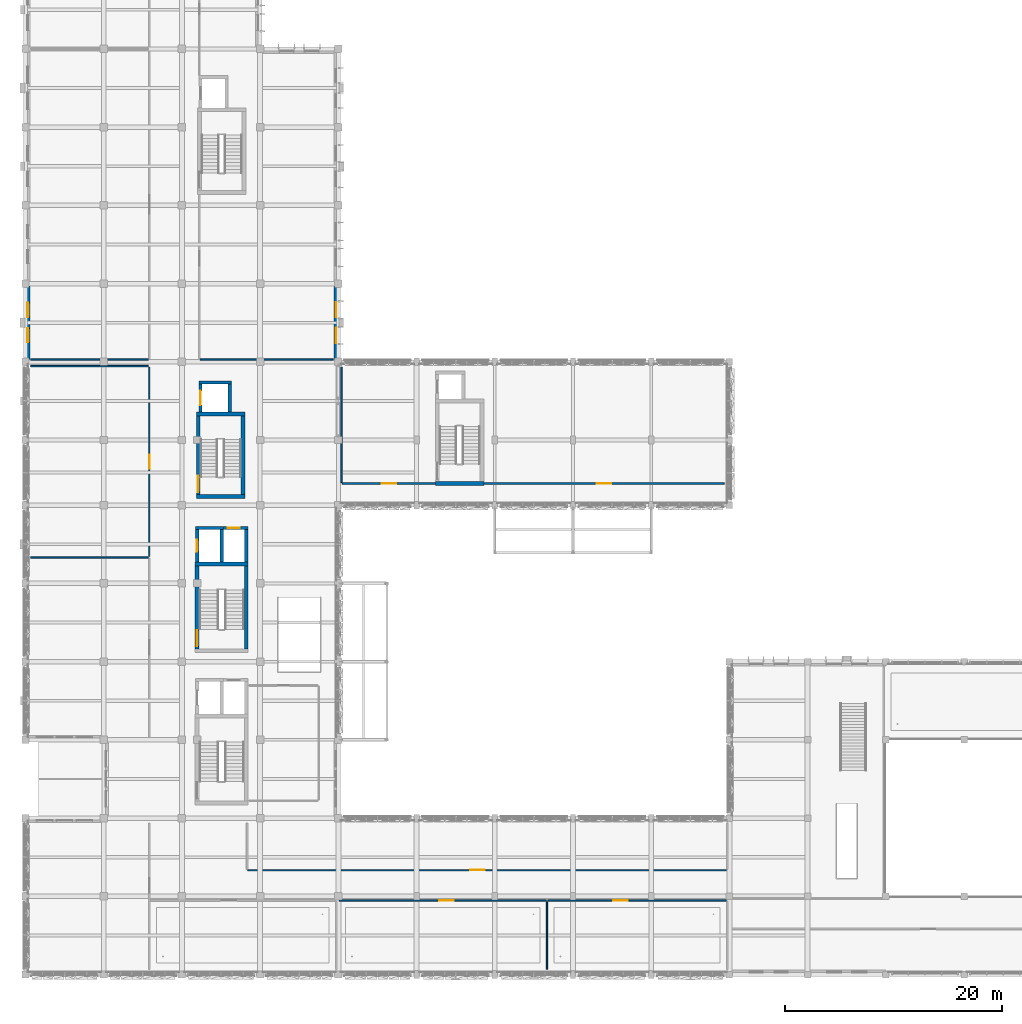
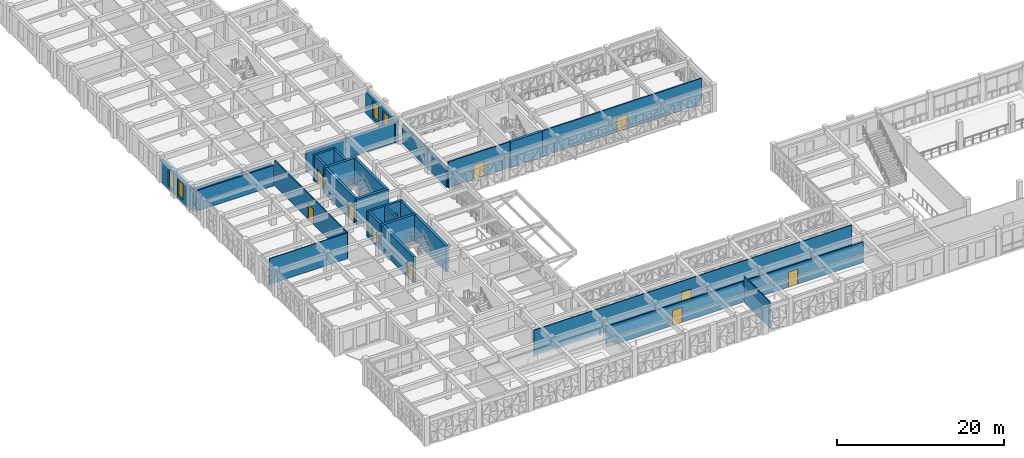
# One storey, part 43 of 88: 30 walls, 11 doors, 4 windows, 15 openings.
"""IFC4 building model written with IfcOpenShell, lengths in metres."""

from ifc_helpers import new_model, si_unit, direction, frame, frame_2d, origin, place, context, subcontext, project, spatial, rectangle, extrude, material, layer, layer_set, type_object, element, fill, save


model = new_model("IFC4")

# Units and contexts
model_context = context("Model", 3, precision=1e-05, world=origin(), true_north=direction((0.0, 1.0)))
body_context = subcontext(model_context, "Body", "Model", "MODEL_VIEW")
ifc_project = project(units=[si_unit("LENGTHUNIT", "METRE"), si_unit("AREAUNIT", "SQUARE_METRE"), si_unit("VOLUMEUNIT", "CUBIC_METRE"), si_unit("PLANEANGLEUNIT", "RADIAN"), si_unit("MASSUNIT", "GRAM", prefix="KILO")], contexts=[model_context])

# Site, building, storey
site_placement = place(None, origin())
site = spatial("IfcSite", under=ifc_project, at=site_placement, CompositionType="ELEMENT")
building_placement = place(site_placement, origin())
building = spatial("IfcBuilding", under=site, at=building_placement, Name="Alvorim Cloister Faculty of Sciences", CompositionType="ELEMENT")
storey_placement = place(building_placement, frame((0.0, 0.0, 4.5)))
storey = spatial("IfcBuildingStorey", under=building, at=storey_placement, Name="L01", CompositionType="ELEMENT", Elevation=4.5)

# Wall, openings, windows
ifc_material_1 = material(Name="Maua Grey Granite Stone", Category="masonry")
ifc_layer_1 = layer(ifc_material_1, 0.419921875)
ifc_layer_set_1 = layer_set([ifc_layer_1], Name="Maua Grey Granite Stone")
wall_type_1 = type_object("IfcWallType", Name="WL-EXT-GRN-420", PredefinedType="SOLIDWALL", material=ifc_layer_set_1)
wall_1_placement = place(storey_placement, frame((0.2099609375, 56.39990234375, 0.0), z_axis=(0.0, 0.0, 1.0), x_axis=(0.0, 1.0, 0.0)))
wall_1 = element("IfcWall", 1, at=wall_1_placement, inside=storey, type_object=wall_type_1, Name="L01 Exterior Wall WL-0107", PredefinedType="SOLIDWALL", context=body_context, shape_type="SweptSolid", body=[
    extrude(rectangle(XDim=7.2001953125, YDim=0.419921875, at=frame_2d((3.60009765625, 0.0))), origin(), (0.0, 0.0, 1.0), 3.159912109375),
])
opening_1_placement = place(wall_1_placement, frame((1.783203125, 0.0, 0.449951171875)))
opening_1 = element("IfcOpeningElement", 2, at=opening_1_placement, cuts=wall_1, Name="Opening W-21", PredefinedType="OPENING", context=body_context, shape_type="SweptSolid", body=[
    extrude(rectangle(XDim=1.300048828125, YDim=2.35009765625, at=frame_2d((0.64990234375, 1.175048828125))), frame((0.0, 0.221923828125, 0.0), z_axis=(0.0, -1.0, 0.0), x_axis=(1.0, 0.0, 0.0)), (0.0, 0.0, 1.0), 0.44384765625),
])
opening_2_placement = place(wall_1_placement, frame((4.11669921875, 0.0, 0.449951171875)))
opening_2 = element("IfcOpeningElement", 3, at=opening_2_placement, cuts=wall_1, Name="Opening W-21", PredefinedType="OPENING", context=body_context, shape_type="SweptSolid", body=[
    extrude(rectangle(XDim=1.300048828125, YDim=2.35009765625, at=frame_2d((0.64990234375, 1.175048828125))), frame((0.0, 0.221923828125, 0.0), z_axis=(0.0, -1.0, 0.0), x_axis=(1.0, 0.0, 0.0)), (0.0, 0.0, 1.0), 0.44384765625),
])
ifc_material_2 = material(Name="Double Low-E Laminated Glass", Category="glass")
window_type_1 = type_object("IfcWindowType", Name="WN-OFF-1300x2350", PartitioningType="SINGLE_PANEL", PredefinedType="WINDOW", material=ifc_material_2)
window_1_placement = place(opening_1_placement, origin())
window_1 = element("IfcWindow", 4, at=window_1_placement, inside=storey, type_object=window_type_1, Name="L01 Gothic Lancet Window WN-0130", OverallHeight=2.35009765625, OverallWidth=1.300048828125, PartitioningType="SINGLE_PANEL", PredefinedType="WINDOW", context=body_context, shape_type="SweptSolid", body=[
    extrude(rectangle(XDim=1.300048828125, YDim=2.35009765625, at=frame_2d((0.64990234375, 1.175048828125))), frame((0.0, 0.030029296875, 0.0), z_axis=(0.0, -1.0, 0.0), x_axis=(1.0, 0.0, 0.0)), (0.0, 0.0, 1.0), 0.06005859375),
])
fill(opening_1, window_1)
window_2_placement = place(opening_2_placement, origin())
window_2 = element("IfcWindow", 5, at=window_2_placement, inside=storey, type_object=window_type_1, Name="L01 Gothic Lancet Window WN-0131", OverallHeight=2.35009765625, OverallWidth=1.300048828125, PartitioningType="SINGLE_PANEL", PredefinedType="WINDOW", context=body_context, shape_type="SweptSolid", body=[
    extrude(rectangle(XDim=1.300048828125, YDim=2.35009765625, at=frame_2d((0.64990234375, 1.175048828125))), frame((0.0, 0.030029296875, 0.0), z_axis=(0.0, -1.0, 0.0), x_axis=(1.0, 0.0, 0.0)), (0.0, 0.0, 1.0), 0.06005859375),
])
fill(opening_2, window_2)

wall_2_placement = place(storey_placement, frame((28.590087890625, 56.39990234375, 0.0), z_axis=(0.0, 0.0, 1.0), x_axis=(0.0, 1.0, 0.0)))
wall_2 = element("IfcWall", 6, at=wall_2_placement, inside=storey, type_object=wall_type_1, Name="L01 Exterior Wall WL-0126", PredefinedType="SOLIDWALL", context=body_context, shape_type="SweptSolid", body=[
    extrude(rectangle(XDim=7.2001953125, YDim=0.419921875, at=frame_2d((3.60009765625, 0.0))), origin(), (0.0, 0.0, 1.0), 3.159912109375),
])
opening_3_placement = place(wall_2_placement, frame((1.716796875, 0.0, 0.449951171875)))
opening_3 = element("IfcOpeningElement", 7, at=opening_3_placement, cuts=wall_2, Name="Opening W-20", PredefinedType="OPENING", context=body_context, shape_type="SweptSolid", body=[
    extrude(rectangle(XDim=1.39990234375, YDim=2.3798828125, at=frame_2d((0.699951171875, 1.18994140625))), frame((0.0, 0.221923828125, 0.0), z_axis=(0.0, -1.0, 0.0), x_axis=(1.0, 0.0, 0.0)), (0.0, 0.0, 1.0), 0.44384765625),
])
opening_4_placement = place(wall_2_placement, frame((4.083251953125, 0.0, 0.449951171875)))
opening_4 = element("IfcOpeningElement", 8, at=opening_4_placement, cuts=wall_2, Name="Opening W-20", PredefinedType="OPENING", context=body_context, shape_type="SweptSolid", body=[
    extrude(rectangle(XDim=1.39990234375, YDim=2.3798828125, at=frame_2d((0.699951171875, 1.18994140625))), frame((0.0, 0.221923828125, 0.0), z_axis=(0.0, -1.0, 0.0), x_axis=(1.0, 0.0, 0.0)), (0.0, 0.0, 1.0), 0.44384765625),
])
window_type_2 = type_object("IfcWindowType", Name="WN-OFF-1400x2380", PartitioningType="SINGLE_PANEL", PredefinedType="WINDOW", material=ifc_material_2)
window_3_placement = place(opening_3_placement, origin())
window_3 = element("IfcWindow", 9, at=window_3_placement, inside=storey, type_object=window_type_2, Name="L01 Gothic Lancet Window WN-0167", OverallHeight=2.3798828125, OverallWidth=1.39990234375, PartitioningType="SINGLE_PANEL", PredefinedType="WINDOW", context=body_context, shape_type="SweptSolid", body=[
    extrude(rectangle(XDim=1.39990234375, YDim=2.3798828125, at=frame_2d((0.699951171875, 1.18994140625))), frame((0.0, 0.030029296875, 0.0), z_axis=(0.0, -1.0, 0.0), x_axis=(1.0, 0.0, 0.0)), (0.0, 0.0, 1.0), 0.06005859375),
])
fill(opening_3, window_3)
window_4_placement = place(opening_4_placement, origin())
window_4 = element("IfcWindow", 10, at=window_4_placement, inside=storey, type_object=window_type_2, Name="L01 Gothic Lancet Window WN-0168", OverallHeight=2.3798828125, OverallWidth=1.39990234375, PartitioningType="SINGLE_PANEL", PredefinedType="WINDOW", context=body_context, shape_type="SweptSolid", body=[
    extrude(rectangle(XDim=1.39990234375, YDim=2.3798828125, at=frame_2d((0.699951171875, 1.18994140625))), frame((0.0, 0.030029296875, 0.0), z_axis=(0.0, -1.0, 0.0), x_axis=(1.0, 0.0, 0.0)), (0.0, 0.0, 1.0), 0.06005859375),
])
fill(opening_4, window_4)

# Wall
ifc_material_3 = material(Name="Acoustic Gypsum Stud Partition", Category="gypsum")
ifc_layer_2 = layer(ifc_material_3, 0.1201171875)
ifc_layer_set_2 = layer_set([ifc_layer_2], Name="Acoustic Gypsum Stud Partition")
wall_type_2 = type_object("IfcWallType", Name="WL-PRT-120", PredefinedType="PARTITIONING", material=ifc_layer_set_2)
wall_3_placement = place(storey_placement, frame((48.0, 0.47998046875, 0.0), z_axis=(0.0, 0.0, 1.0), x_axis=(0.0, 1.0, 0.0)))
element("IfcWall", 11, at=wall_3_placement, inside=storey, type_object=wall_type_2, Name="L01 Active Learning Studio 103 Partition IWL-0503", PredefinedType="PARTITIONING", context=body_context, shape_type="SweptSolid", body=[
    extrude(rectangle(XDim=6.239990234375, YDim=0.1201171875, at=frame_2d((3.1201171875, 0.0))), origin(), (0.0, 0.0, 1.0), 3.77490234375),
])

# Wall, opening, door
wall_4_placement = place(storey_placement, frame((28.8798828125, 6.800048828125, 0.0), z_axis=(0.0, 0.0, 1.0), x_axis=(1.0, 0.0, 0.0)))
wall_4 = element("IfcWall", 12, at=wall_4_placement, inside=storey, type_object=wall_type_2, Name="L01 Active Learning Studio 103 Partition IWL-0504", PredefinedType="PARTITIONING", context=body_context, shape_type="SweptSolid", body=[
    extrude(rectangle(XDim=19.0400390625, YDim=0.1201171875, at=frame_2d((9.52001953125, 0.0))), origin(), (0.0, 0.0, 1.0), 3.02490234375),
])
opening_5_placement = place(wall_4_placement, frame((9.219970703125, 0.0, 0.0)))
opening_5 = element("IfcOpeningElement", 13, at=opening_5_placement, cuts=wall_4, Name="Opening D-L01-103", PredefinedType="OPENING", context=body_context, shape_type="SweptSolid", body=[
    extrude(rectangle(XDim=1.320068359375, YDim=2.199951171875, at=frame_2d((0.66015625, 1.10009765625))), frame((0.0, 0.072021484375, 0.0), z_axis=(0.0, -1.0, 0.0), x_axis=(1.0, 0.0, 0.0)), (0.0, 0.0, 1.0), 0.14404296875),
])
ifc_material_4 = material(Name="Solid Acoustic Oak Timber", Category="wood")
door_type_1 = type_object("IfcDoorType", Name="DR-SEM-1320x2200", OperationType="NOTDEFINED", PredefinedType="DOOR", material=ifc_material_4)
door_1_placement = place(opening_5_placement, origin())
door_1 = element("IfcDoor", 14, at=door_1_placement, inside=storey, type_object=door_type_1, Name="Active Learning Studio 103 Door D-L01-103", OperationType="SINGLE_SWING_LEFT", OverallHeight=2.199951171875, OverallWidth=1.320068359375, PredefinedType="DOOR", context=body_context, shape_type="SweptSolid", body=[
    extrude(rectangle(XDim=1.320068359375, YDim=2.199951171875, at=frame_2d((0.66015625, 1.10009765625))), frame((0.0, 0.02490234375, 0.0), z_axis=(0.0, -1.0, 0.0), x_axis=(1.0, 0.0, 0.0)), (0.0, 0.0, 1.0), 0.050048828125),
])
fill(opening_5, door_1)

wall_5_placement = place(storey_placement, frame((48.080078125, 6.800048828125, 0.0), z_axis=(0.0, 0.0, 1.0), x_axis=(1.0, 0.0, 0.0)))
wall_5 = element("IfcWall", 15, at=wall_5_placement, inside=storey, type_object=wall_type_2, Name="L01 Active Learning Studio 104 Partition IWL-0506", PredefinedType="PARTITIONING", context=body_context, shape_type="SweptSolid", body=[
    extrude(rectangle(XDim=16.43994140625, YDim=0.1201171875, at=frame_2d((8.219970703125, 0.0))), origin(), (0.0, 0.0, 1.0), 3.02490234375),
])
opening_6_placement = place(wall_5_placement, frame((6.03076171875, 0.0, 0.0)))
opening_6 = element("IfcOpeningElement", 16, at=opening_6_placement, cuts=wall_5, Name="Opening D-L01-104", PredefinedType="OPENING", context=body_context, shape_type="SweptSolid", body=[
    extrude(rectangle(XDim=1.320068359375, YDim=2.199951171875, at=frame_2d((0.66015625, 1.10009765625))), frame((0.0, 0.072021484375, 0.0), z_axis=(0.0, -1.0, 0.0), x_axis=(1.0, 0.0, 0.0)), (0.0, 0.0, 1.0), 0.14404296875),
])
door_2_placement = place(opening_6_placement, origin())
door_2 = element("IfcDoor", 17, at=door_2_placement, inside=storey, type_object=door_type_1, Name="Active Learning Studio 104 Door D-L01-104", OperationType="SINGLE_SWING_RIGHT", OverallHeight=2.199951171875, OverallWidth=1.320068359375, PredefinedType="DOOR", context=body_context, shape_type="SweptSolid", body=[
    extrude(rectangle(XDim=1.320068359375, YDim=2.199951171875, at=frame_2d((0.66015625, 1.10009765625))), frame((0.0, 0.02490234375, 0.0), z_axis=(0.0, -1.0, 0.0), x_axis=(1.0, 0.0, 0.0)), (0.0, 0.0, 1.0), 0.050048828125),
])
fill(opening_6, door_2)

wall_6_placement = place(storey_placement, frame((20.47998046875, 9.60009765625, 0.0), z_axis=(0.0, 0.0, 1.0), x_axis=(1.0, 0.0, 0.0)))
wall_6 = element("IfcWall", 18, at=wall_6_placement, inside=storey, type_object=wall_type_2, Name="L01 Cloister Tutorial Classrooms Partition IWL-0508", PredefinedType="PARTITIONING", context=body_context, shape_type="SweptSolid", body=[
    extrude(rectangle(XDim=44.0400390625, YDim=0.1201171875, at=frame_2d((22.02001953125, 0.0))), origin(), (0.0, 0.0, 1.0), 3.77490234375),
])
opening_7_placement = place(wall_6_placement, frame((20.479248046875, 0.0, 0.0)))
opening_7 = element("IfcOpeningElement", 19, at=opening_7_placement, cuts=wall_6, Name="Opening D-L01-105", PredefinedType="OPENING", context=body_context, shape_type="SweptSolid", body=[
    extrude(rectangle(XDim=1.320068359375, YDim=2.199951171875, at=frame_2d((0.66015625, 1.10009765625))), frame((0.0, 0.072021484375, 0.0), z_axis=(0.0, -1.0, 0.0), x_axis=(1.0, 0.0, 0.0)), (0.0, 0.0, 1.0), 0.14404296875),
])
door_3_placement = place(opening_7_placement, origin())
door_3 = element("IfcDoor", 20, at=door_3_placement, inside=storey, type_object=door_type_1, Name="Cloister Tutorial Classrooms Door D-L01-105", OperationType="SINGLE_SWING_LEFT", OverallHeight=2.199951171875, OverallWidth=1.320068359375, PredefinedType="DOOR", context=body_context, shape_type="SweptSolid", body=[
    extrude(rectangle(XDim=1.320068359375, YDim=2.199951171875, at=frame_2d((0.66015625, 1.10009765625))), frame((0.0, 0.02490234375, 0.0), z_axis=(0.0, -1.0, 0.0), x_axis=(1.0, 0.0, 0.0)), (0.0, 0.0, 1.0), 0.050048828125),
])
fill(opening_7, door_3)

# Wall
wall_7_placement = place(storey_placement, frame((0.47998046875, 38.39990234375, 0.0), z_axis=(0.0, 0.0, 1.0), x_axis=(1.0, 0.0, 0.0)))
element("IfcWall", 21, at=wall_7_placement, inside=storey, type_object=wall_type_2, Name="L01 Bioinformatics Computing Studio Partition IWL-0511", PredefinedType="PARTITIONING", context=body_context, shape_type="SweptSolid", body=[
    extrude(rectangle(XDim=10.840087890625, YDim=0.1201171875, at=frame_2d((5.419921875, 0.0))), origin(), (0.0, 0.0, 1.0), 3.77490234375),
])

# Wall, opening, door
wall_8_placement = place(storey_placement, frame((11.39990234375, 38.47998046875, 0.0), z_axis=(0.0, 0.0, 1.0), x_axis=(0.0, 1.0, 0.0)))
wall_8 = element("IfcWall", 22, at=wall_8_placement, inside=storey, type_object=wall_type_2, Name="L01 Statistical Modelling Computing Lab Partition IWL-0512", PredefinedType="PARTITIONING", context=body_context, shape_type="SweptSolid", body=[
    extrude(rectangle(XDim=17.43994140625, YDim=0.1201171875, at=frame_2d((8.719970703125, 0.0))), origin(), (0.0, 0.0, 1.0), 3.77490234375),
])
opening_8_placement = place(wall_8_placement, frame((8.06005859375, 0.0, 0.0)))
opening_8 = element("IfcOpeningElement", 23, at=opening_8_placement, cuts=wall_8, Name="Opening D-L01-107", PredefinedType="OPENING", context=body_context, shape_type="SweptSolid", body=[
    extrude(rectangle(XDim=1.320068359375, YDim=2.199951171875, at=frame_2d((0.66015625, 1.10009765625))), frame((0.0, 0.072021484375, 0.0), z_axis=(0.0, -1.0, 0.0), x_axis=(1.0, 0.0, 0.0)), (0.0, 0.0, 1.0), 0.14404296875),
])
door_4_placement = place(opening_8_placement, origin())
door_4 = element("IfcDoor", 24, at=door_4_placement, inside=storey, type_object=door_type_1, Name="Statistical Modelling Computing Lab Door D-L01-107", OperationType="SINGLE_SWING_LEFT", OverallHeight=2.199951171875, OverallWidth=1.320068359375, PredefinedType="DOOR", context=body_context, shape_type="SweptSolid", body=[
    extrude(rectangle(XDim=1.320068359375, YDim=2.199951171875, at=frame_2d((0.66015625, 1.10009765625))), frame((0.0, 0.02490234375, 0.0), z_axis=(0.0, -1.0, 0.0), x_axis=(1.0, 0.0, 0.0)), (0.0, 0.0, 1.0), 0.050048828125),
])
fill(opening_8, door_4)

# Walls
for number, where, z_axis, x_axis, name in (
    (25, (0.47998046875, 56.0, 0.0), (0.0, 0.0, 1.0), (1.0, 0.0, 0.0), "L01 Statistical Modelling Computing Lab Partition IWL-0513"),
    (26, (0.47998046875, 56.60009765625, 0.0), (0.0, 0.0, 1.0), (1.0, 0.0, 0.0), "L01 Periodicals and Reference Reading Room Partition IWL-0520"),
):
    element("IfcWall", number, at=place(storey_placement, frame(where, z_axis=z_axis, x_axis=x_axis)), inside=storey, type_object=wall_type_2, Name=name, PredefinedType="PARTITIONING", context=body_context, shape_type="SweptSolid", body=[
        extrude(rectangle(XDim=10.840087890625, YDim=0.1201171875, at=frame_2d((5.419921875, 0.0))), origin(), (0.0, 0.0, 1.0), 3.02490234375),
    ])
wall_9_placement = place(storey_placement, frame((16.080078125, 56.60009765625, 0.0), z_axis=(0.0, 0.0, 1.0), x_axis=(1.0, 0.0, 0.0)))
element("IfcWall", 27, at=wall_9_placement, inside=storey, type_object=wall_type_2, Name="L01 Group Study Suites 105-108 Partition IWL-0525", PredefinedType="PARTITIONING", context=body_context, shape_type="SweptSolid", body=[
    extrude(rectangle(XDim=12.239990234375, YDim=0.1201171875, at=frame_2d((6.1201171875, 0.0))), origin(), (0.0, 0.0, 1.0), 3.02490234375),
])
ifc_material_5 = material(Name="Gypsum Fireboard Stud Partition", Category="gypsum")
ifc_layer_3 = layer(ifc_material_5, 0.14990234375)
ifc_layer_set_3 = layer_set([ifc_layer_3], Name="Gypsum Fireboard Stud Partition")
wall_type_3 = type_object("IfcWallType", Name="WL-PRT-150", PredefinedType="PARTITIONING", material=ifc_layer_set_3)
wall_10_placement = place(storey_placement, frame((29.10009765625, 45.280029296875, 0.0), z_axis=(0.0, 0.0, 1.0), x_axis=(0.0, 1.0, 0.0)))
element("IfcWall", 28, at=wall_10_placement, inside=storey, type_object=wall_type_3, Name="L01 Quantitative Ecology Dry Lab Partition IWL-0517", PredefinedType="PARTITIONING", context=body_context, shape_type="SweptSolid", body=[
    extrude(rectangle(XDim=10.639892578125, YDim=0.14990234375, at=frame_2d((5.31982421875, 0.0))), origin(), (0.0, 0.0, 1.0), 2.925048828125),
])

# Wall, opening, door
wall_11_placement = place(storey_placement, frame((29.179931640625, 45.199951171875, 0.0), z_axis=(0.0, 0.0, 1.0), x_axis=(1.0, 0.0, 0.0)))
wall_11 = element("IfcWall", 29, at=wall_11_placement, inside=storey, type_object=wall_type_3, Name="L01 Quantitative Ecology Dry Lab Partition IWL-0518", PredefinedType="PARTITIONING", context=body_context, shape_type="SweptSolid", body=[
    extrude(rectangle(XDim=8.5400390625, YDim=0.14990234375, at=frame_2d((4.27001953125, 0.0))), origin(), (0.0, 0.0, 1.0), 3.77490234375),
])
opening_9_placement = place(wall_11_placement, frame((3.594970703125, 0.0, 0.0)))
opening_9 = element("IfcOpeningElement", 30, at=opening_9_placement, cuts=wall_11, Name="Opening D-L01-109", PredefinedType="OPENING", context=body_context, shape_type="SweptSolid", body=[
    extrude(rectangle(XDim=1.35009765625, YDim=2.199951171875, at=frame_2d((0.675048828125, 1.10009765625))), frame((0.0, 0.0869140625, 0.0), z_axis=(0.0, -1.0, 0.0), x_axis=(1.0, 0.0, 0.0)), (0.0, 0.0, 1.0), 0.173828125),
])
ifc_material_6 = material(Name="Fire-Rated Laminate Timber", Category="wood")
door_type_2 = type_object("IfcDoorType", Name="DR-LAB-1350x2200", OperationType="NOTDEFINED", PredefinedType="DOOR", material=ifc_material_6)
door_5_placement = place(opening_9_placement, origin())
door_5 = element("IfcDoor", 31, at=door_5_placement, inside=storey, type_object=door_type_2, Name="Quantitative Ecology Dry Lab Door D-L01-109", OperationType="SINGLE_SWING_LEFT", OverallHeight=2.199951171875, OverallWidth=1.35009765625, PredefinedType="DOOR", context=body_context, shape_type="SweptSolid", body=[
    extrude(rectangle(XDim=1.35009765625, YDim=2.199951171875, at=frame_2d((0.675048828125, 1.10009765625))), frame((0.0, 0.02490234375, 0.0), z_axis=(0.0, -1.0, 0.0), x_axis=(1.0, 0.0, 0.0)), (0.0, 0.0, 1.0), 0.050048828125),
])
fill(opening_9, door_5)

wall_12_placement = place(storey_placement, frame((42.199951171875, 45.199951171875, 0.0), z_axis=(0.0, 0.0, 1.0), x_axis=(1.0, 0.0, 0.0)))
wall_12 = element("IfcWall", 32, at=wall_12_placement, inside=storey, type_object=wall_type_3, Name="L01 Earth Observation GIS Laboratory Partition IWL-0519", PredefinedType="PARTITIONING", context=body_context, shape_type="SweptSolid", body=[
    extrude(rectangle(XDim=22.1201171875, YDim=0.14990234375, at=frame_2d((11.06005859375, 0.0))), origin(), (0.0, 0.0, 1.0), 3.77490234375),
])
opening_10_placement = place(wall_12_placement, frame((10.385009765625, 0.0, 0.0)))
opening_10 = element("IfcOpeningElement", 33, at=opening_10_placement, cuts=wall_12, Name="Opening D-L01-110", PredefinedType="OPENING", context=body_context, shape_type="SweptSolid", body=[
    extrude(rectangle(XDim=1.35009765625, YDim=2.199951171875, at=frame_2d((0.675048828125, 1.10009765625))), frame((0.0, 0.0869140625, 0.0), z_axis=(0.0, -1.0, 0.0), x_axis=(1.0, 0.0, 0.0)), (0.0, 0.0, 1.0), 0.173828125),
])
door_6_placement = place(opening_10_placement, origin())
door_6 = element("IfcDoor", 34, at=door_6_placement, inside=storey, type_object=door_type_2, Name="Earth Observation GIS Laboratory Door D-L01-110", OperationType="SINGLE_SWING_RIGHT", OverallHeight=2.199951171875, OverallWidth=1.35009765625, PredefinedType="DOOR", context=body_context, shape_type="SweptSolid", body=[
    extrude(rectangle(XDim=1.35009765625, YDim=2.199951171875, at=frame_2d((0.675048828125, 1.10009765625))), frame((0.0, 0.02490234375, 0.0), z_axis=(0.0, -1.0, 0.0), x_axis=(1.0, 0.0, 0.0)), (0.0, 0.0, 1.0), 0.050048828125),
])
fill(opening_10, door_6)

# Wall
ifc_material_7 = material(Name="Concrete C40", Category="concrete")
ifc_layer_4 = layer(ifc_material_7, 0.300048828125)
ifc_layer_set_4 = layer_set([ifc_layer_4], Name="Concrete C40")
wall_type_4 = type_object("IfcWallType", Name="WL-SHR-300", PredefinedType="SHEAR", material=ifc_layer_set_4)
wall_13_placement = place(storey_placement, frame((15.64990234375, 41.10009765625, 0.0), z_axis=(0.0, 0.0, 1.0), x_axis=(1.0, 0.0, 0.0)))
element("IfcWall", 35, at=wall_13_placement, inside=storey, type_object=wall_type_4, Name="L01 Lift LP-02 Shaft Wall IWL-0294", PredefinedType="SHEAR", context=body_context, shape_type="SweptSolid", body=[
    extrude(rectangle(XDim=2.56005859375, YDim=0.300048828125, at=frame_2d((1.280029296875, 0.0))), origin(), (0.0, 0.0, 1.0), 3.7900390625),
])

# Wall, opening, door
wall_14_placement = place(storey_placement, frame((15.800048828125, 37.97998046875, 0.0), z_axis=(0.0, 0.0, 1.0), x_axis=(0.0, 1.0, 0.0)))
wall_14 = element("IfcWall", 36, at=wall_14_placement, inside=storey, type_object=wall_type_4, Name="L01 Lift LP-02 Shaft Wall IWL-0295", PredefinedType="SHEAR", context=body_context, shape_type="SweptSolid", body=[
    extrude(rectangle(XDim=2.969970703125, YDim=0.300048828125, at=frame_2d((1.48486328125, 0.0))), origin(), (0.0, 0.0, 1.0), 3.7900390625),
])
opening_11_placement = place(wall_14_placement, frame((0.93505859375, 0.0, 0.0)))
opening_11 = element("IfcOpeningElement", 37, at=opening_11_placement, cuts=wall_14, Name="Opening LD-025", PredefinedType="OPENING", context=body_context, shape_type="SweptSolid", body=[
    extrude(rectangle(XDim=1.10009765625, YDim=2.199951171875, at=frame_2d((0.550048828125, 1.10009765625))), frame((0.0, 0.162109375, 0.0), z_axis=(0.0, -1.0, 0.0), x_axis=(1.0, 0.0, 0.0)), (0.0, 0.0, 1.0), 0.323974609375),
])
ifc_material_8 = material(Name="Brushed Stainless Steel", Category="steel")
door_type_3 = type_object("IfcDoorType", Name="DR-LFT-1100x2200", OperationType="NOTDEFINED", PredefinedType="DOOR", material=ifc_material_8)
door_7_placement = place(opening_11_placement, origin())
door_7 = element("IfcDoor", 38, at=door_7_placement, inside=storey, type_object=door_type_3, Name="L01 Lift LP-02 Sliding Landing Door LD-025", OperationType="DOUBLE_DOOR_SLIDING", OverallHeight=2.199951171875, OverallWidth=1.10009765625, PredefinedType="DOOR", context=body_context, shape_type="SweptSolid", body=[
    extrude(rectangle(XDim=1.10009765625, YDim=2.199951171875, at=frame_2d((0.550048828125, 1.10009765625))), frame((0.0, 0.02490234375, 0.0), z_axis=(0.0, -1.0, 0.0), x_axis=(1.0, 0.0, 0.0)), (0.0, 0.0, 1.0), 0.050048828125),
])
fill(opening_11, door_7)

# Wall
wall_15_placement = place(storey_placement, frame((18.06005859375, 37.97998046875, 0.0), z_axis=(0.0, 0.0, 1.0), x_axis=(0.0, 1.0, 0.0)))
element("IfcWall", 39, at=wall_15_placement, inside=storey, type_object=wall_type_4, Name="L01 Lift LP-02 Shaft Wall IWL-0296", PredefinedType="SHEAR", context=body_context, shape_type="SweptSolid", body=[
    extrude(rectangle(XDim=2.969970703125, YDim=0.300048828125, at=frame_2d((1.48486328125, 0.0))), origin(), (0.0, 0.0, 1.0), 3.7900390625),
])

# Wall, opening, door
wall_16_placement = place(storey_placement, frame((17.909912109375, 41.10009765625, 0.0), z_axis=(0.0, 0.0, 1.0), x_axis=(1.0, 0.0, 0.0)))
wall_16 = element("IfcWall", 40, at=wall_16_placement, inside=storey, type_object=wall_type_4, Name="L01 Lift LP-03 Shaft Wall IWL-0322", PredefinedType="SHEAR", context=body_context, shape_type="SweptSolid", body=[
    extrude(rectangle(XDim=2.56005859375, YDim=0.300048828125, at=frame_2d((1.280029296875, 0.0))), origin(), (0.0, 0.0, 1.0), 3.7900390625),
])
opening_12_placement = place(wall_16_placement, frame((0.72998046875, 0.0, 0.0)))
opening_12 = element("IfcOpeningElement", 41, at=opening_12_placement, cuts=wall_16, Name="Opening LD-035", PredefinedType="OPENING", context=body_context, shape_type="SweptSolid", body=[
    extrude(rectangle(XDim=1.10009765625, YDim=2.199951171875, at=frame_2d((0.550048828125, 1.10009765625))), frame((0.0, 0.162109375, 0.0), z_axis=(0.0, -1.0, 0.0), x_axis=(1.0, 0.0, 0.0)), (0.0, 0.0, 1.0), 0.323974609375),
])
door_8_placement = place(opening_12_placement, origin())
door_8 = element("IfcDoor", 42, at=door_8_placement, inside=storey, type_object=door_type_3, Name="L01 Lift LP-03 Sliding Landing Door LD-035", OperationType="DOUBLE_DOOR_SLIDING", OverallHeight=2.199951171875, OverallWidth=1.10009765625, PredefinedType="DOOR", context=body_context, shape_type="SweptSolid", body=[
    extrude(rectangle(XDim=1.10009765625, YDim=2.199951171875, at=frame_2d((0.550048828125, 1.10009765625))), frame((0.0, 0.02490234375, 0.0), z_axis=(0.0, -1.0, 0.0), x_axis=(1.0, 0.0, 0.0)), (0.0, 0.0, 1.0), 0.050048828125),
])
fill(opening_12, door_8)

# Walls
wall_17_placement = place(storey_placement, frame((20.320068359375, 37.97998046875, 0.0), z_axis=(0.0, 0.0, 1.0), x_axis=(0.0, 1.0, 0.0)))
element("IfcWall", 43, at=wall_17_placement, inside=storey, type_object=wall_type_4, Name="L01 Lift LP-03 Shaft Wall IWL-0323", PredefinedType="SHEAR", context=body_context, shape_type="SweptSolid", body=[
    extrude(rectangle(XDim=2.969970703125, YDim=0.300048828125, at=frame_2d((1.48486328125, 0.0))), origin(), (0.0, 0.0, 1.0), 3.7900390625),
])
wall_18_placement = place(storey_placement, frame((15.949951171875, 54.5, 0.0), z_axis=(0.0, 0.0, 1.0), x_axis=(1.0, 0.0, 0.0)))
element("IfcWall", 44, at=wall_18_placement, inside=storey, type_object=wall_type_4, Name="L01 Lift LG-01 Shaft Wall IWL-0386", PredefinedType="SHEAR", context=body_context, shape_type="SweptSolid", body=[
    extrude(rectangle(XDim=3.0, YDim=0.300048828125, at=frame_2d((1.5, 0.0))), origin(), (0.0, 0.0, 1.0), 3.7900390625),
])

# Wall, opening, door
wall_19_placement = place(storey_placement, frame((16.10009765625, 51.780029296875, 0.0), z_axis=(0.0, 0.0, 1.0), x_axis=(0.0, 1.0, 0.0)))
wall_19 = element("IfcWall", 45, at=wall_19_placement, inside=storey, type_object=wall_type_4, Name="L01 Lift LG-01 Shaft Wall IWL-0387", PredefinedType="SHEAR", context=body_context, shape_type="SweptSolid", body=[
    extrude(rectangle(XDim=2.570068359375, YDim=0.300048828125, at=frame_2d((1.28515625, 0.0))), origin(), (0.0, 0.0, 1.0), 3.7900390625),
])
opening_13_placement = place(wall_19_placement, frame((0.635009765625, 0.0, 0.0)))
opening_13 = element("IfcOpeningElement", 46, at=opening_13_placement, cuts=wall_19, Name="Opening LD-059", PredefinedType="OPENING", context=body_context, shape_type="SweptSolid", body=[
    extrude(rectangle(XDim=1.300048828125, YDim=2.25, at=frame_2d((0.64990234375, 1.125))), frame((0.0, 0.162109375, 0.0), z_axis=(0.0, -1.0, 0.0), x_axis=(1.0, 0.0, 0.0)), (0.0, 0.0, 1.0), 0.323974609375),
])
door_type_4 = type_object("IfcDoorType", Name="DR-LFT-1300x2250", OperationType="NOTDEFINED", PredefinedType="DOOR", material=ifc_material_8)
door_9_placement = place(opening_13_placement, origin())
door_9 = element("IfcDoor", 47, at=door_9_placement, inside=storey, type_object=door_type_4, Name="L01 Lift LG-01 Sliding Landing Door LD-059", OperationType="DOUBLE_DOOR_SLIDING", OverallHeight=2.25, OverallWidth=1.300048828125, PredefinedType="DOOR", context=body_context, shape_type="SweptSolid", body=[
    extrude(rectangle(XDim=1.300048828125, YDim=2.25, at=frame_2d((0.64990234375, 1.125))), frame((0.0, 0.02490234375, 0.0), z_axis=(0.0, -1.0, 0.0), x_axis=(1.0, 0.0, 0.0)), (0.0, 0.0, 1.0), 0.050048828125),
])
fill(opening_13, door_9)

# Walls
wall_20_placement = place(storey_placement, frame((18.800048828125, 51.780029296875, 0.0), z_axis=(0.0, 0.0, 1.0), x_axis=(0.0, 1.0, 0.0)))
element("IfcWall", 48, at=wall_20_placement, inside=storey, type_object=wall_type_4, Name="L01 Lift LG-01 Shaft Wall IWL-0388", PredefinedType="SHEAR", context=body_context, shape_type="SweptSolid", body=[
    extrude(rectangle(XDim=2.570068359375, YDim=0.300048828125, at=frame_2d((1.28515625, 0.0))), origin(), (0.0, 0.0, 1.0), 3.7900390625),
])
ifc_layer_5 = layer(ifc_material_7, 0.360107421875)
ifc_layer_set_5 = layer_set([ifc_layer_5], Name="Concrete C40")
wall_type_5 = type_object("IfcWallType", Name="WL-SHR-360", PredefinedType="SHEAR", material=ifc_layer_set_5)
wall_21_placement = place(storey_placement, frame((15.6201171875, 37.800048828125, 0.0), z_axis=(0.0, 0.0, 1.0), x_axis=(1.0, 0.0, 0.0)))
element("IfcWall", 49, at=wall_21_placement, inside=storey, type_object=wall_type_5, Name="L01 CORE K2 Shear Wall IWL-0054", PredefinedType="SHEAR", context=body_context, shape_type="SweptSolid", body=[
    extrude(rectangle(XDim=4.8798828125, YDim=0.360107421875, at=frame_2d((2.43994140625, 0.0))), origin(), (0.0, 0.0, 1.0), 3.7900390625),
])

# Wall, opening, door
wall_22_placement = place(storey_placement, frame((15.800048828125, 29.97998046875, 0.0), z_axis=(0.0, 0.0, 1.0), x_axis=(0.0, 1.0, 0.0)))
wall_22 = element("IfcWall", 50, at=wall_22_placement, inside=storey, type_object=wall_type_5, Name="L01 CORE K2 Shear Wall IWL-0055", PredefinedType="SHEAR", context=body_context, shape_type="SweptSolid", body=[
    extrude(rectangle(XDim=7.64013671875, YDim=0.360107421875, at=frame_2d((3.820068359375, 0.0))), origin(), (0.0, 0.0, 1.0), 3.7900390625),
])
opening_14_placement = place(wall_22_placement, frame((0.219970703125, 0.0, 0.0)))
opening_14 = element("IfcOpeningElement", 51, at=opening_14_placement, cuts=wall_22, Name="Opening SD-K2-L01", PredefinedType="OPENING", context=body_context, shape_type="SweptSolid", body=[
    extrude(rectangle(XDim=1.5, YDim=2.199951171875, at=frame_2d((0.75, 1.10009765625))), frame((0.0, 0.19189453125, 0.0), z_axis=(0.0, -1.0, 0.0), x_axis=(1.0, 0.0, 0.0)), (0.0, 0.0, 1.0), 0.384033203125),
])
ifc_material_9 = material(Name="Galvanised Fire-Rated Steel", Category="steel")
door_type_5 = type_object("IfcDoorType", Name="DR-STR-1500x2200", OperationType="NOTDEFINED", PredefinedType="DOOR", material=ifc_material_9)
door_10_placement = place(opening_14_placement, origin())
door_10 = element("IfcDoor", 52, at=door_10_placement, inside=storey, type_object=door_type_5, Name="L01 Stair ST-02 Fire Door SD-K2-L01", OperationType="DOUBLE_DOOR_SINGLE_SWING", OverallHeight=2.199951171875, OverallWidth=1.5, PredefinedType="DOOR", context=body_context, shape_type="SweptSolid", body=[
    extrude(rectangle(XDim=1.5, YDim=2.199951171875, at=frame_2d((0.75, 1.10009765625))), frame((0.0, 0.02490234375, 0.0), z_axis=(0.0, -1.0, 0.0), x_axis=(1.0, 0.0, 0.0)), (0.0, 0.0, 1.0), 0.050048828125),
])
fill(opening_14, door_10)

# Walls
wall_23_placement = place(storey_placement, frame((20.320068359375, 29.97998046875, 0.0), z_axis=(0.0, 0.0, 1.0), x_axis=(0.0, 1.0, 0.0)))
element("IfcWall", 53, at=wall_23_placement, inside=storey, type_object=wall_type_5, Name="L01 CORE K2 Shear Wall IWL-0056", PredefinedType="SHEAR", context=body_context, shape_type="SweptSolid", body=[
    extrude(rectangle(XDim=7.64013671875, YDim=0.360107421875, at=frame_2d((3.820068359375, 0.0))), origin(), (0.0, 0.0, 1.0), 3.7900390625),
])
for number, where, z_axis, x_axis, name in (
    (54, (15.719970703125, 44.0, 0.0), (0.0, 0.0, 1.0), (1.0, 0.0, 0.0), "L01 CORE K3 Shear Wall IWL-0097"),
    (55, (15.719970703125, 51.60009765625, 0.0), (0.0, 0.0, 1.0), (1.0, 0.0, 0.0), "L01 CORE K3 Shear Wall IWL-0098"),
):
    element("IfcWall", number, at=place(storey_placement, frame(where, z_axis=z_axis, x_axis=x_axis)), inside=storey, type_object=wall_type_5, Name=name, PredefinedType="SHEAR", context=body_context, shape_type="SweptSolid", body=[
        extrude(rectangle(XDim=4.47998046875, YDim=0.360107421875, at=frame_2d((2.239990234375, 0.0))), origin(), (0.0, 0.0, 1.0), 3.7900390625),
    ])

# Wall, opening, door
wall_24_placement = place(storey_placement, frame((15.89990234375, 44.179931640625, 0.0), z_axis=(0.0, 0.0, 1.0), x_axis=(0.0, 1.0, 0.0)))
wall_24 = element("IfcWall", 56, at=wall_24_placement, inside=storey, type_object=wall_type_5, Name="L01 CORE K3 Shear Wall IWL-0099", PredefinedType="SHEAR", context=body_context, shape_type="SweptSolid", body=[
    extrude(rectangle(XDim=7.239990234375, YDim=0.360107421875, at=frame_2d((3.6201171875, 0.0))), origin(), (0.0, 0.0, 1.0), 3.7900390625),
])
opening_15_placement = place(wall_24_placement, frame((0.219970703125, 0.0, 0.0)))
opening_15 = element("IfcOpeningElement", 57, at=opening_15_placement, cuts=wall_24, Name="Opening SD-K3-L01", PredefinedType="OPENING", context=body_context, shape_type="SweptSolid", body=[
    extrude(rectangle(XDim=1.5, YDim=2.199951171875, at=frame_2d((0.75, 1.10009765625))), frame((0.0, 0.19189453125, 0.0), z_axis=(0.0, -1.0, 0.0), x_axis=(1.0, 0.0, 0.0)), (0.0, 0.0, 1.0), 0.384033203125),
])
door_11_placement = place(opening_15_placement, origin())
door_11 = element("IfcDoor", 58, at=door_11_placement, inside=storey, type_object=door_type_5, Name="L01 Stair ST-03 Fire Door SD-K3-L01", OperationType="DOUBLE_DOOR_SINGLE_SWING", OverallHeight=2.199951171875, OverallWidth=1.5, PredefinedType="DOOR", context=body_context, shape_type="SweptSolid", body=[
    extrude(rectangle(XDim=1.5, YDim=2.199951171875, at=frame_2d((0.75, 1.10009765625))), frame((0.0, 0.02490234375, 0.0), z_axis=(0.0, -1.0, 0.0), x_axis=(1.0, 0.0, 0.0)), (0.0, 0.0, 1.0), 0.050048828125),
])
fill(opening_15, door_11)

# Walls
wall_25_placement = place(storey_placement, frame((20.02001953125, 44.179931640625, 0.0), z_axis=(0.0, 0.0, 1.0), x_axis=(0.0, 1.0, 0.0)))
element("IfcWall", 59, at=wall_25_placement, inside=storey, type_object=wall_type_5, Name="L01 CORE K3 Shear Wall IWL-0100", PredefinedType="SHEAR", context=body_context, shape_type="SweptSolid", body=[
    extrude(rectangle(XDim=7.239990234375, YDim=0.360107421875, at=frame_2d((3.6201171875, 0.0))), origin(), (0.0, 0.0, 1.0), 3.7900390625),
])
wall_26_placement = place(storey_placement, frame((37.719970703125, 45.199951171875, 0.0), z_axis=(0.0, 0.0, 1.0), x_axis=(1.0, 0.0, 0.0)))
element("IfcWall", 60, at=wall_26_placement, inside=storey, type_object=wall_type_5, Name="L01 CORE K4 Shear Wall IWL-0137", PredefinedType="SHEAR", context=body_context, shape_type="SweptSolid", body=[
    extrude(rectangle(XDim=4.47998046875, YDim=0.360107421875, at=frame_2d((2.239990234375, 0.0))), origin(), (0.0, 0.0, 1.0), 3.7900390625),
])

save(model, "model.ifc")
